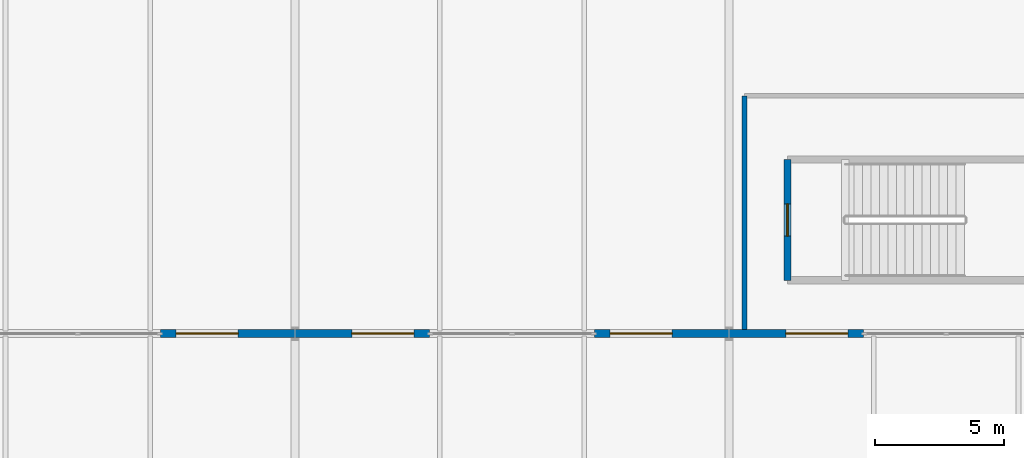
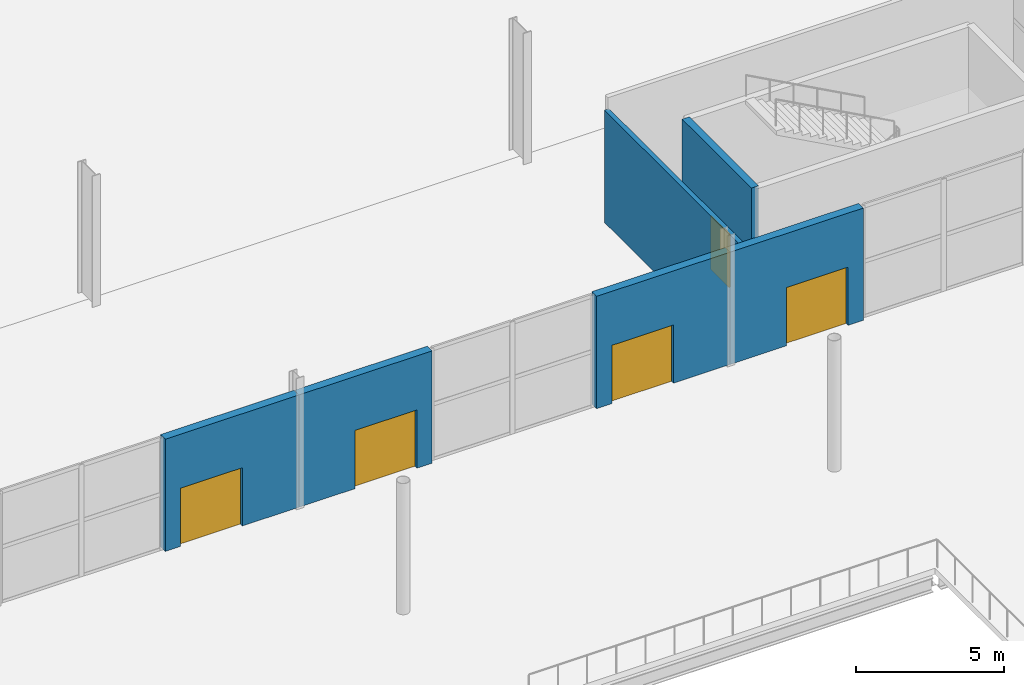
# One storey, part 62 of 87: 6 walls, 5 doors, 5 openings.
"""IFC4 building model written with IfcOpenShell, lengths in metres."""

from ifc_helpers import new_model, si_unit, direction, frame, frame_2d, origin, place, context, subcontext, project, spatial, rectangle, extrude, material, layer, layer_set, type_object, element, fill, save


model = new_model("IFC4")

# Units and contexts
model_context = context("Model", 3, precision=1e-05, world=origin(), true_north=direction((0.0, 1.0)))
body_context = subcontext(model_context, "Body", "Model", "MODEL_VIEW")
ifc_project = project(units=[si_unit("LENGTHUNIT", "METRE"), si_unit("AREAUNIT", "SQUARE_METRE"), si_unit("VOLUMEUNIT", "CUBIC_METRE"), si_unit("PLANEANGLEUNIT", "RADIAN"), si_unit("MASSUNIT", "GRAM", prefix="KILO")], contexts=[model_context])

# Site, building, storey
site_placement = place(None, origin())
site = spatial("IfcSite", under=ifc_project, at=site_placement, CompositionType="ELEMENT")
building_placement = place(site_placement, origin())
building = spatial("IfcBuilding", under=site, at=building_placement, Name="Kimbaza Rail Terminus", CompositionType="ELEMENT")
storey_placement = place(building_placement, origin())
storey = spatial("IfcBuildingStorey", under=building, at=storey_placement, Name="L00", CompositionType="ELEMENT", Elevation=0.0)

# Wall, opening, door
ifc_material_1 = material(Name="Precast concrete C40/50", Category="concrete")
ifc_layer_1 = layer(ifc_material_1, 0.320068359375)
ifc_layer_set_1 = layer_set([ifc_layer_1], Name="Precast concrete C40/50")
wall_type_1 = type_object("IfcWallType", Name="ARC-WL-EXT320", PredefinedType="STANDARD", material=ifc_layer_set_1)
wall_1_placement = place(storey_placement, frame((117.199951171875, 41.0, 0.0), z_axis=(0.0, 0.0, 1.0), x_axis=(1.0, 0.0, 0.0)))
wall_1 = element("IfcWall", 1, at=wall_1_placement, inside=storey, type_object=wall_type_1, Name="South Concourse Entrance Portal 4B", PredefinedType="STANDARD", context=body_context, shape_type="SweptSolid", body=[
    extrude(rectangle(XDim=5.199951171875, YDim=0.320068359375, at=frame_2d((2.60009765625, 0.0))), origin(), (0.0, 0.0, 1.0), 4.625),
])
opening_1_placement = place(wall_1_placement, frame((3.0, 0.0, 0.0), z_axis=(0.0, 0.0, 1.0), x_axis=(-1.0, 0.0, 0.0)))
opening_1 = element("IfcOpeningElement", 2, at=opening_1_placement, cuts=wall_1, Name="Opening D-EX1", PredefinedType="OPENING", context=body_context, shape_type="SweptSolid", body=[
    extrude(rectangle(XDim=2.39990234375, YDim=2.39990234375, at=frame_2d((1.199951171875, 1.199951171875))), frame((0.0, 0.169921875, 0.0), z_axis=(0.0, -1.0, 0.0), x_axis=(1.0, 0.0, 0.0)), (0.0, 0.0, 1.0), 0.340087890625),
])
ifc_material_2 = material(Name="Anodised aluminium and toughened safety glass", Category="aluminium")
door_type_1 = type_object("IfcDoorType", Name="ARC-DR-EX240", OperationType="NOTDEFINED", PredefinedType="DOOR", material=ifc_material_2)
door_1_placement = place(opening_1_placement, origin())
door_1 = element("IfcDoor", 3, at=door_1_placement, inside=storey, type_object=door_type_1, Name="DR-EX-S08", OperationType="SINGLE_SWING_LEFT", OverallHeight=2.39990234375, OverallWidth=2.39990234375, PredefinedType="DOOR", context=body_context, shape_type="SweptSolid", body=[
    extrude(rectangle(XDim=2.39990234375, YDim=2.39990234375, at=frame_2d((1.199951171875, 1.199951171875))), frame((0.0, 0.02490234375, 0.0), z_axis=(0.0, -1.0, 0.0), x_axis=(1.0, 0.0, 0.0)), (0.0, 0.0, 1.0), 0.050048828125),
])
fill(opening_1, door_1)

wall_2_placement = place(storey_placement, frame((122.39990234375, 41.0, 0.0), z_axis=(0.0, 0.0, 1.0), x_axis=(1.0, 0.0, 0.0)))
wall_2 = element("IfcWall", 4, at=wall_2_placement, inside=storey, type_object=wall_type_1, Name="South Concourse Entrance Portal 5A", PredefinedType="STANDARD", context=body_context, shape_type="SweptSolid", body=[
    extrude(rectangle(XDim=5.2001953125, YDim=0.320068359375, at=frame_2d((2.60009765625, 0.0))), origin(), (0.0, 0.0, 1.0), 4.625),
])
opening_2_placement = place(wall_2_placement, frame((4.599853515625, 0.0, 0.0), z_axis=(0.0, 0.0, 1.0), x_axis=(-1.0, 0.0, 0.0)))
opening_2 = element("IfcOpeningElement", 5, at=opening_2_placement, cuts=wall_2, Name="Opening D-EX1", PredefinedType="OPENING", context=body_context, shape_type="SweptSolid", body=[
    extrude(rectangle(XDim=2.39990234375, YDim=2.39990234375, at=frame_2d((1.199951171875, 1.199951171875))), frame((0.0, 0.169921875, 0.0), z_axis=(0.0, -1.0, 0.0), x_axis=(1.0, 0.0, 0.0)), (0.0, 0.0, 1.0), 0.340087890625),
])
door_2_placement = place(opening_2_placement, origin())
door_2 = element("IfcDoor", 6, at=door_2_placement, inside=storey, type_object=door_type_1, Name="DR-EX-S09", OperationType="SINGLE_SWING_RIGHT", OverallHeight=2.39990234375, OverallWidth=2.39990234375, PredefinedType="DOOR", context=body_context, shape_type="SweptSolid", body=[
    extrude(rectangle(XDim=2.39990234375, YDim=2.39990234375, at=frame_2d((1.199951171875, 1.199951171875))), frame((0.0, 0.02490234375, 0.0), z_axis=(0.0, -1.0, 0.0), x_axis=(1.0, 0.0, 0.0)), (0.0, 0.0, 1.0), 0.050048828125),
])
fill(opening_2, door_2)

wall_3_placement = place(storey_placement, frame((134.0, 41.0, 0.0), z_axis=(0.0, 0.0, 1.0), x_axis=(1.0, 0.0, 0.0)))
wall_3 = element("IfcWall", 7, at=wall_3_placement, inside=storey, type_object=wall_type_1, Name="South Concourse Entrance Portal 5B", PredefinedType="STANDARD", context=body_context, shape_type="SweptSolid", body=[
    extrude(rectangle(XDim=5.199951171875, YDim=0.320068359375, at=frame_2d((2.60009765625, 0.0))), origin(), (0.0, 0.0, 1.0), 4.625),
])
opening_3_placement = place(wall_3_placement, frame((3.0, 0.0, 0.0), z_axis=(0.0, 0.0, 1.0), x_axis=(-1.0, 0.0, 0.0)))
opening_3 = element("IfcOpeningElement", 8, at=opening_3_placement, cuts=wall_3, Name="Opening D-EX1", PredefinedType="OPENING", context=body_context, shape_type="SweptSolid", body=[
    extrude(rectangle(XDim=2.39990234375, YDim=2.39990234375, at=frame_2d((1.199951171875, 1.199951171875))), frame((0.0, 0.169921875, 0.0), z_axis=(0.0, -1.0, 0.0), x_axis=(1.0, 0.0, 0.0)), (0.0, 0.0, 1.0), 0.340087890625),
])
door_3_placement = place(opening_3_placement, origin())
door_3 = element("IfcDoor", 9, at=door_3_placement, inside=storey, type_object=door_type_1, Name="DR-EX-S10", OperationType="SINGLE_SWING_LEFT", OverallHeight=2.39990234375, OverallWidth=2.39990234375, PredefinedType="DOOR", context=body_context, shape_type="SweptSolid", body=[
    extrude(rectangle(XDim=2.39990234375, YDim=2.39990234375, at=frame_2d((1.199951171875, 1.199951171875))), frame((0.0, 0.02490234375, 0.0), z_axis=(0.0, -1.0, 0.0), x_axis=(1.0, 0.0, 0.0)), (0.0, 0.0, 1.0), 0.050048828125),
])
fill(opening_3, door_3)

wall_4_placement = place(storey_placement, frame((139.199951171875, 41.0, 0.0), z_axis=(0.0, 0.0, 1.0), x_axis=(1.0, 0.0, 0.0)))
wall_4 = element("IfcWall", 10, at=wall_4_placement, inside=storey, type_object=wall_type_1, Name="South Concourse Entrance Portal 6A", PredefinedType="STANDARD", context=body_context, shape_type="SweptSolid", body=[
    extrude(rectangle(XDim=5.199951171875, YDim=0.320068359375, at=frame_2d((2.60009765625, 0.0))), origin(), (0.0, 0.0, 1.0), 4.625),
])
opening_4_placement = place(wall_4_placement, frame((4.599853515625, 0.0, 0.0), z_axis=(0.0, 0.0, 1.0), x_axis=(-1.0, 0.0, 0.0)))
opening_4 = element("IfcOpeningElement", 11, at=opening_4_placement, cuts=wall_4, Name="Opening D-EX1", PredefinedType="OPENING", context=body_context, shape_type="SweptSolid", body=[
    extrude(rectangle(XDim=2.39990234375, YDim=2.39990234375, at=frame_2d((1.199951171875, 1.199951171875))), frame((0.0, 0.169921875, 0.0), z_axis=(0.0, -1.0, 0.0), x_axis=(1.0, 0.0, 0.0)), (0.0, 0.0, 1.0), 0.340087890625),
])
door_4_placement = place(opening_4_placement, origin())
door_4 = element("IfcDoor", 12, at=door_4_placement, inside=storey, type_object=door_type_1, Name="DR-EX-S11", OperationType="SINGLE_SWING_RIGHT", OverallHeight=2.39990234375, OverallWidth=2.39990234375, PredefinedType="DOOR", context=body_context, shape_type="SweptSolid", body=[
    extrude(rectangle(XDim=2.39990234375, YDim=2.39990234375, at=frame_2d((1.199951171875, 1.199951171875))), frame((0.0, 0.02490234375, 0.0), z_axis=(0.0, -1.0, 0.0), x_axis=(1.0, 0.0, 0.0)), (0.0, 0.0, 1.0), 0.050048828125),
])
fill(opening_4, door_4)

# Wall
ifc_material_3 = material(Name="Concrete blockwork C30/37", Category="masonry")
ifc_layer_2 = layer(ifc_material_3, 0.179931640625)
ifc_layer_set_2 = layer_set([ifc_layer_2], Name="Concrete blockwork C30/37")
wall_type_2 = type_object("IfcWallType", Name="ARC-WL-FIRE180", PredefinedType="PARTITIONING", material=ifc_layer_set_2)
wall_5_placement = place(storey_placement, frame((139.800048828125, 50.199951171875, 0.0), z_axis=(0.0, 0.0, 1.0), x_axis=(0.0, -1.0, 0.0)))
element("IfcWall", 13, at=wall_5_placement, inside=storey, type_object=wall_type_2, Name="Protected Exit Vestibule ST-S2 Partition (west)", PredefinedType="PARTITIONING", context=body_context, shape_type="SweptSolid", body=[
    extrude(rectangle(XDim=9.0400390625, YDim=0.179931640625, at=frame_2d((4.52001953125, 0.0))), origin(), (0.0, 0.0, 1.0), 4.625),
])

# Wall, opening, door
ifc_material_4 = material(Name="Concrete C40/50", Category="concrete")
ifc_layer_3 = layer(ifc_material_4, 0.280029296875)
ifc_layer_set_3 = layer_set([ifc_layer_3], Name="Concrete C40/50")
wall_type_3 = type_object("IfcWallType", Name="STR-WL-CORE280", PredefinedType="SHEAR", material=ifc_layer_set_3)
wall_6_placement = place(storey_placement, frame((141.4599609375, 47.739990234375, 0.0), z_axis=(0.0, 0.0, 1.0), x_axis=(0.0, -1.0, 0.0)))
wall_6 = element("IfcWall", 14, at=wall_6_placement, inside=storey, type_object=wall_type_3, Name="South Metro Concourse East Stair Shaft Wall L00-4", PredefinedType="SHEAR", context=body_context, shape_type="SweptSolid", body=[
    extrude(rectangle(XDim=4.679931640625, YDim=0.280029296875, at=frame_2d((2.33984375, 0.0))), origin(), (0.0, 0.0, 1.0), 5.179931640625),
])
opening_5_placement = place(wall_6_placement, frame((1.715087890625, 0.0, 0.0)))
opening_5 = element("IfcOpeningElement", 15, at=opening_5_placement, cuts=wall_6, Name="Opening FD-02", PredefinedType="OPENING", context=body_context, shape_type="SweptSolid", body=[
    extrude(rectangle(XDim=1.25, YDim=2.199951171875, at=frame_2d((0.625, 1.10009765625))), frame((0.0, 0.14990234375, 0.0), z_axis=(0.0, -1.0, 0.0), x_axis=(1.0, 0.0, 0.0)), (0.0, 0.0, 1.0), 0.300048828125),
])
ifc_material_5 = material(Name="Galvanised painted steel fire stair door", Category="steel")
door_type_2 = type_object("IfcDoorType", Name="ARC-DR-FD125", OperationType="NOTDEFINED", PredefinedType="DOOR", material=ifc_material_5)
door_5_placement = place(opening_5_placement, origin())
door_5 = element("IfcDoor", 16, at=door_5_placement, inside=storey, type_object=door_type_2, Name="SDR-ST-S2-L00", OperationType="SINGLE_SWING_LEFT", OverallHeight=2.199951171875, OverallWidth=1.25, PredefinedType="DOOR", context=body_context, shape_type="SweptSolid", body=[
    extrude(rectangle(XDim=1.25, YDim=2.199951171875, at=frame_2d((0.625, 1.10009765625))), frame((0.0, 0.02490234375, 0.0), z_axis=(0.0, -1.0, 0.0), x_axis=(1.0, 0.0, 0.0)), (0.0, 0.0, 1.0), 0.050048828125),
])
fill(opening_5, door_5)

save(model, "model.ifc")
